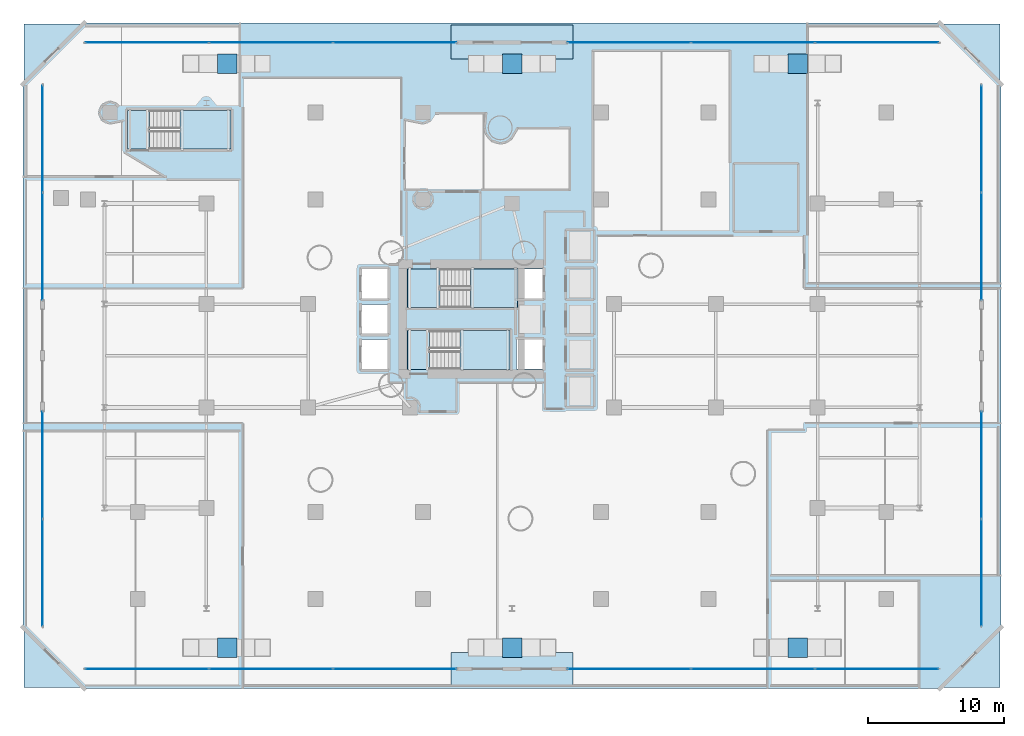
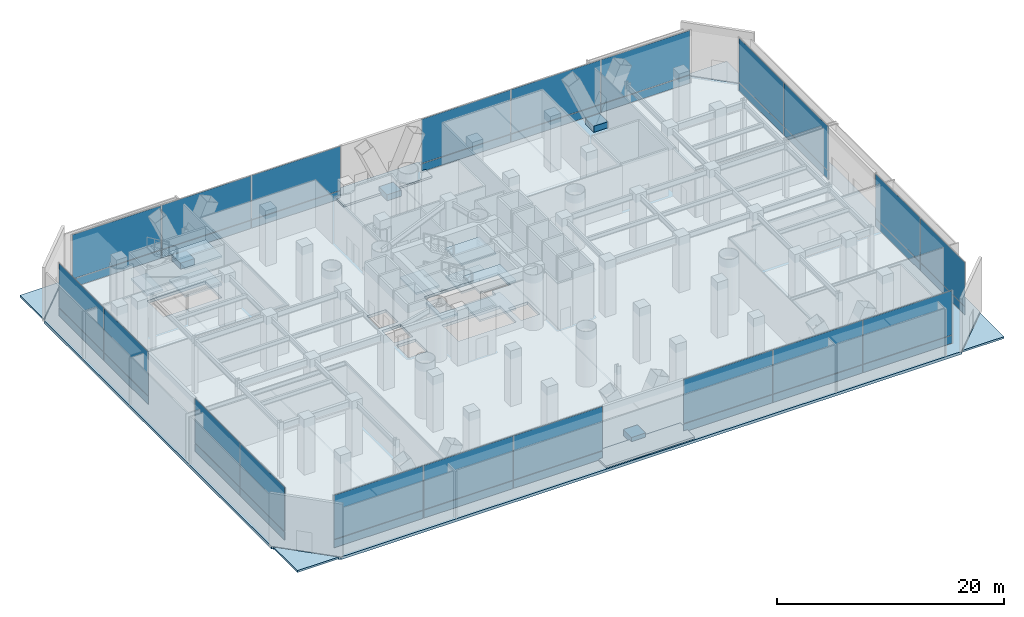
# One storey, part 27 of 40: 46 plates, 16 slabs, 11 elements without a shape of their own.
"""IFC4 building model written with IfcOpenShell, lengths in metres."""

from ifc_helpers import new_model, si_unit, direction, frame, origin, origin_2d, place, context, subcontext, project, spatial, polyline, rectangle, outline, extrude, material, layer, layer_set, type_object, element, aggregate, save


model = new_model("IFC4")

# Units and contexts
model_context = context("Model", 3, precision=1e-05, world=origin(), true_north=direction((0.0, 1.0)))
body_context = subcontext(model_context, "Body", "Model", "MODEL_VIEW")
ifc_project = project(units=[si_unit("LENGTHUNIT", "METRE"), si_unit("AREAUNIT", "SQUARE_METRE"), si_unit("VOLUMEUNIT", "CUBIC_METRE"), si_unit("PLANEANGLEUNIT", "RADIAN"), si_unit("MASSUNIT", "GRAM", prefix="KILO")], contexts=[model_context])

# Site, building, storey
site_placement = place(None, origin())
site = spatial("IfcSite", under=ifc_project, at=site_placement, CompositionType="ELEMENT")
building_placement = place(site_placement, origin())
building = spatial("IfcBuilding", under=site, at=building_placement, Name="Qianvela Tower", CompositionType="ELEMENT")
storey_placement = place(building_placement, origin())
storey = spatial("IfcBuildingStorey", under=building, at=storey_placement, Name="L00", CompositionType="ELEMENT", Elevation=0.0)

# Curtain wall, plates
ifc_material_1 = material(Name="Anodised Architectural Aluminium and Low-E Glass", Category="aluminium")
ifc_layer_1 = layer(ifc_material_1, 0.199951171875)
ifc_layer_set_1 = layer_set([ifc_layer_1], Name="Anodised Architectural Aluminium and Low-E Glass")
curtain_wall_type = type_object("IfcCurtainWallType", Name="CW-CONCOURSE", PredefinedType="USERDEFINED", material=ifc_layer_set_1)
curtain_wall_1_placement = place(storey_placement, origin())
curtain_wall_1 = element("IfcCurtainWall", 1, at=curtain_wall_1_placement, inside=storey, type_object=curtain_wall_type, Name="L00 CW-CONCOURSE Curtain Wall 01A", ObjectType="CURTAIN_WALL_SYSTEM", PredefinedType="USERDEFINED")
ifc_material_2 = material(Name="Double-Silver Low-E Insulated Glass", Category="glass")
ifc_layer_2 = layer(ifc_material_2, 0.035888671875)
ifc_layer_set_2 = layer_set([ifc_layer_2], Name="Double-Silver Low-E Insulated Glass")
plate_type_1 = type_object("IfcPlateType", Name="CW-CONCOURSE-PNL", PredefinedType="CURTAIN_PANEL", material=ifc_layer_set_2)
plate_1_placement = place(storey_placement, frame((10.63427734375, 2.949951171875, 0.06494140625), z_axis=(0.0, 0.0, 1.0), x_axis=(1.0, 0.0, 0.0)))
plate_1 = element("IfcPlate", 2, at=plate_1_placement, type_object=plate_type_1, Name="CW-1 panel 1.1", PredefinedType="CURTAIN_PANEL", context=body_context, shape_type="SweptSolid", body=[
    extrude(rectangle(XDim=9.0283203125, YDim=0.035888671875, at=origin_2d()), origin(), (0.0, 0.0, 1.0), 0.8525390625),
])
plate_2_placement = place(storey_placement, frame((10.63427734375, 2.949951171875, 0.982421875), z_axis=(0.0, 0.0, 1.0), x_axis=(1.0, 0.0, 0.0)))
plate_2 = element("IfcPlate", 3, at=plate_2_placement, type_object=plate_type_1, Name="CW-1 panel 1.2", PredefinedType="CURTAIN_PANEL", context=body_context, shape_type="SweptSolid", body=[
    extrude(rectangle(XDim=9.0283203125, YDim=0.035888671875, at=origin_2d()), origin(), (0.0, 0.0, 1.0), 4.732421875),
])
plate_3_placement = place(storey_placement, frame((19.75, 2.949951171875, 0.06494140625), z_axis=(0.0, 0.0, 1.0), x_axis=(1.0, 0.0, 0.0)))
plate_3 = element("IfcPlate", 4, at=plate_3_placement, type_object=plate_type_1, Name="CW-1 panel 2.1", PredefinedType="CURTAIN_PANEL", context=body_context, shape_type="SweptSolid", body=[
    extrude(rectangle(XDim=9.063232421875, YDim=0.035888671875, at=origin_2d()), origin(), (0.0, 0.0, 1.0), 0.8525390625),
])
plate_4_placement = place(storey_placement, frame((19.75, 2.949951171875, 0.982421875), z_axis=(0.0, 0.0, 1.0), x_axis=(1.0, 0.0, 0.0)))
plate_4 = element("IfcPlate", 5, at=plate_4_placement, type_object=plate_type_1, Name="CW-1 panel 2.2", PredefinedType="CURTAIN_PANEL", context=body_context, shape_type="SweptSolid", body=[
    extrude(rectangle(XDim=9.063232421875, YDim=0.035888671875, at=origin_2d()), origin(), (0.0, 0.0, 1.0), 4.732421875),
])
plate_5_placement = place(storey_placement, frame((28.86572265625, 2.949951171875, 0.06494140625), z_axis=(0.0, 0.0, 1.0), x_axis=(1.0, 0.0, 0.0)))
plate_5 = element("IfcPlate", 6, at=plate_5_placement, type_object=plate_type_1, Name="CW-1 panel 3.1", PredefinedType="CURTAIN_PANEL", context=body_context, shape_type="SweptSolid", body=[
    extrude(rectangle(XDim=9.0283203125, YDim=0.035888671875, at=origin_2d()), origin(), (0.0, 0.0, 1.0), 0.8525390625),
])
plate_6_placement = place(storey_placement, frame((28.86572265625, 2.949951171875, 0.982421875), z_axis=(0.0, 0.0, 1.0), x_axis=(1.0, 0.0, 0.0)))
plate_6 = element("IfcPlate", 7, at=plate_6_placement, type_object=plate_type_1, Name="CW-1 panel 3.2", PredefinedType="CURTAIN_PANEL", context=body_context, shape_type="SweptSolid", body=[
    extrude(rectangle(XDim=9.0283203125, YDim=0.035888671875, at=origin_2d()), origin(), (0.0, 0.0, 1.0), 4.732421875),
])
aggregate(curtain_wall_1, [plate_1, plate_2, plate_3, plate_4, plate_5, plate_6])

curtain_wall_2_placement = place(storey_placement, origin())
curtain_wall_2 = element("IfcCurtainWall", 8, at=curtain_wall_2_placement, inside=storey, type_object=curtain_wall_type, Name="L00 CW-CONCOURSE Curtain Wall 01B", ObjectType="CURTAIN_WALL_SYSTEM", PredefinedType="USERDEFINED")
plate_7_placement = place(storey_placement, frame((46.13427734375, 2.949951171875, 0.06494140625), z_axis=(0.0, 0.0, 1.0), x_axis=(1.0, 0.0, 0.0)))
plate_7 = element("IfcPlate", 9, at=plate_7_placement, type_object=plate_type_1, Name="CW-1 panel 1.1", PredefinedType="CURTAIN_PANEL", context=body_context, shape_type="SweptSolid", body=[
    extrude(rectangle(XDim=9.0283203125, YDim=0.035888671875, at=origin_2d()), origin(), (0.0, 0.0, 1.0), 0.8525390625),
])
plate_8_placement = place(storey_placement, frame((46.13427734375, 2.949951171875, 0.982421875), z_axis=(0.0, 0.0, 1.0), x_axis=(1.0, 0.0, 0.0)))
plate_8 = element("IfcPlate", 10, at=plate_8_placement, type_object=plate_type_1, Name="CW-1 panel 1.2", PredefinedType="CURTAIN_PANEL", context=body_context, shape_type="SweptSolid", body=[
    extrude(rectangle(XDim=9.0283203125, YDim=0.035888671875, at=origin_2d()), origin(), (0.0, 0.0, 1.0), 4.732421875),
])
plate_9_placement = place(storey_placement, frame((55.25, 2.949951171875, 0.06494140625), z_axis=(0.0, 0.0, 1.0), x_axis=(1.0, 0.0, 0.0)))
plate_9 = element("IfcPlate", 11, at=plate_9_placement, type_object=plate_type_1, Name="CW-1 panel 2.1", PredefinedType="CURTAIN_PANEL", context=body_context, shape_type="SweptSolid", body=[
    extrude(rectangle(XDim=9.063232421875, YDim=0.035888671875, at=origin_2d()), origin(), (0.0, 0.0, 1.0), 0.8525390625),
])
plate_10_placement = place(storey_placement, frame((55.25, 2.949951171875, 0.982421875), z_axis=(0.0, 0.0, 1.0), x_axis=(1.0, 0.0, 0.0)))
plate_10 = element("IfcPlate", 12, at=plate_10_placement, type_object=plate_type_1, Name="CW-1 panel 2.2", PredefinedType="CURTAIN_PANEL", context=body_context, shape_type="SweptSolid", body=[
    extrude(rectangle(XDim=9.063232421875, YDim=0.035888671875, at=origin_2d()), origin(), (0.0, 0.0, 1.0), 4.732421875),
])
plate_11_placement = place(storey_placement, frame((64.36572265625, 2.949951171875, 0.06494140625), z_axis=(0.0, 0.0, 1.0), x_axis=(1.0, 0.0, 0.0)))
plate_11 = element("IfcPlate", 13, at=plate_11_placement, type_object=plate_type_1, Name="CW-1 panel 3.1", PredefinedType="CURTAIN_PANEL", context=body_context, shape_type="SweptSolid", body=[
    extrude(rectangle(XDim=9.0283203125, YDim=0.035888671875, at=origin_2d()), origin(), (0.0, 0.0, 1.0), 0.8525390625),
])
plate_12_placement = place(storey_placement, frame((64.36572265625, 2.949951171875, 0.982421875), z_axis=(0.0, 0.0, 1.0), x_axis=(1.0, 0.0, 0.0)))
plate_12 = element("IfcPlate", 14, at=plate_12_placement, type_object=plate_type_1, Name="CW-1 panel 3.2", PredefinedType="CURTAIN_PANEL", context=body_context, shape_type="SweptSolid", body=[
    extrude(rectangle(XDim=9.0283203125, YDim=0.035888671875, at=origin_2d()), origin(), (0.0, 0.0, 1.0), 4.732421875),
])
aggregate(curtain_wall_2, [plate_7, plate_8, plate_9, plate_10, plate_11, plate_12])

curtain_wall_3_placement = place(storey_placement, origin())
curtain_wall_3 = element("IfcCurtainWall", 15, at=curtain_wall_3_placement, inside=storey, type_object=curtain_wall_type, Name="L00 CW-CONCOURSE Curtain Wall 03A", ObjectType="CURTAIN_WALL_SYSTEM", PredefinedType="USERDEFINED")
plate_13_placement = place(storey_placement, frame((72.050048828125, 10.04248046875, 0.06494140625), z_axis=(0.0, 0.0, 1.0), x_axis=(0.0, 1.0, 0.0)))
plate_13 = element("IfcPlate", 16, at=plate_13_placement, type_object=plate_type_1, Name="CW-1 panel 1.1", PredefinedType="CURTAIN_PANEL", context=body_context, shape_type="SweptSolid", body=[
    extrude(rectangle(XDim=7.844970703125, YDim=0.035888671875, at=origin_2d()), origin(), (0.0, 0.0, 1.0), 0.8525390625),
])
plate_14_placement = place(storey_placement, frame((72.050048828125, 10.04248046875, 0.982421875), z_axis=(0.0, 0.0, 1.0), x_axis=(0.0, 1.0, 0.0)))
plate_14 = element("IfcPlate", 17, at=plate_14_placement, type_object=plate_type_1, Name="CW-1 panel 1.2", PredefinedType="CURTAIN_PANEL", context=body_context, shape_type="SweptSolid", body=[
    extrude(rectangle(XDim=7.844970703125, YDim=0.035888671875, at=origin_2d()), origin(), (0.0, 0.0, 1.0), 4.732421875),
])
plate_15_placement = place(storey_placement, frame((72.050048828125, 17.95751953125, 0.06494140625), z_axis=(0.0, 0.0, 1.0), x_axis=(0.0, 1.0, 0.0)))
plate_15 = element("IfcPlate", 18, at=plate_15_placement, type_object=plate_type_1, Name="CW-1 panel 2.1", PredefinedType="CURTAIN_PANEL", context=body_context, shape_type="SweptSolid", body=[
    extrude(rectangle(XDim=7.844970703125, YDim=0.035888671875, at=origin_2d()), origin(), (0.0, 0.0, 1.0), 0.8525390625),
])
plate_16_placement = place(storey_placement, frame((72.050048828125, 17.95751953125, 0.982421875), z_axis=(0.0, 0.0, 1.0), x_axis=(0.0, 1.0, 0.0)))
plate_16 = element("IfcPlate", 19, at=plate_16_placement, type_object=plate_type_1, Name="CW-1 panel 2.2", PredefinedType="CURTAIN_PANEL", context=body_context, shape_type="SweptSolid", body=[
    extrude(rectangle(XDim=7.844970703125, YDim=0.035888671875, at=origin_2d()), origin(), (0.0, 0.0, 1.0), 4.732421875),
])
aggregate(curtain_wall_3, [plate_13, plate_14, plate_15, plate_16])

curtain_wall_4_placement = place(storey_placement, origin())
curtain_wall_4 = element("IfcCurtainWall", 20, at=curtain_wall_4_placement, inside=storey, type_object=curtain_wall_type, Name="L00 CW-CONCOURSE Curtain Wall 03B", ObjectType="CURTAIN_WALL_SYSTEM", PredefinedType="USERDEFINED")
plate_17_placement = place(storey_placement, frame((72.050048828125, 34.04248046875, 0.06494140625), z_axis=(0.0, 0.0, 1.0), x_axis=(0.0, 1.0, 0.0)))
plate_17 = element("IfcPlate", 21, at=plate_17_placement, type_object=plate_type_1, Name="CW-1 panel 1.1", PredefinedType="CURTAIN_PANEL", context=body_context, shape_type="SweptSolid", body=[
    extrude(rectangle(XDim=7.844970703125, YDim=0.035888671875, at=origin_2d()), origin(), (0.0, 0.0, 1.0), 0.8525390625),
])
plate_18_placement = place(storey_placement, frame((72.050048828125, 34.04248046875, 0.982421875), z_axis=(0.0, 0.0, 1.0), x_axis=(0.0, 1.0, 0.0)))
plate_18 = element("IfcPlate", 22, at=plate_18_placement, type_object=plate_type_1, Name="CW-1 panel 1.2", PredefinedType="CURTAIN_PANEL", context=body_context, shape_type="SweptSolid", body=[
    extrude(rectangle(XDim=7.844970703125, YDim=0.035888671875, at=origin_2d()), origin(), (0.0, 0.0, 1.0), 4.732421875),
])
plate_19_placement = place(storey_placement, frame((72.050048828125, 41.95751953125, 0.06494140625), z_axis=(0.0, 0.0, 1.0), x_axis=(0.0, 1.0, 0.0)))
plate_19 = element("IfcPlate", 23, at=plate_19_placement, type_object=plate_type_1, Name="CW-1 panel 2.1", PredefinedType="CURTAIN_PANEL", context=body_context, shape_type="SweptSolid", body=[
    extrude(rectangle(XDim=7.844970703125, YDim=0.035888671875, at=origin_2d()), origin(), (0.0, 0.0, 1.0), 0.8525390625),
])
plate_20_placement = place(storey_placement, frame((72.050048828125, 41.95751953125, 0.982421875), z_axis=(0.0, 0.0, 1.0), x_axis=(0.0, 1.0, 0.0)))
plate_20 = element("IfcPlate", 24, at=plate_20_placement, type_object=plate_type_1, Name="CW-1 panel 2.2", PredefinedType="CURTAIN_PANEL", context=body_context, shape_type="SweptSolid", body=[
    extrude(rectangle(XDim=7.844970703125, YDim=0.035888671875, at=origin_2d()), origin(), (0.0, 0.0, 1.0), 4.732421875),
])
aggregate(curtain_wall_4, [plate_17, plate_18, plate_19, plate_20])

curtain_wall_5_placement = place(storey_placement, origin())
curtain_wall_5 = element("IfcCurtainWall", 25, at=curtain_wall_5_placement, inside=storey, type_object=curtain_wall_type, Name="L00 CW-CONCOURSE Curtain Wall 05A", ObjectType="CURTAIN_WALL_SYSTEM", PredefinedType="USERDEFINED")
plate_21_placement = place(storey_placement, frame((64.36572265625, 49.050048828125, 0.06494140625), z_axis=(0.0, 0.0, 1.0), x_axis=(-1.0, 0.0, 0.0)))
plate_21 = element("IfcPlate", 26, at=plate_21_placement, type_object=plate_type_1, Name="CW-1 panel 1.1", PredefinedType="CURTAIN_PANEL", context=body_context, shape_type="SweptSolid", body=[
    extrude(rectangle(XDim=9.0283203125, YDim=0.035888671875, at=origin_2d()), origin(), (0.0, 0.0, 1.0), 0.8525390625),
])
plate_22_placement = place(storey_placement, frame((64.36572265625, 49.050048828125, 0.982421875), z_axis=(0.0, 0.0, 1.0), x_axis=(-1.0, 0.0, 0.0)))
plate_22 = element("IfcPlate", 27, at=plate_22_placement, type_object=plate_type_1, Name="CW-1 panel 1.2", PredefinedType="CURTAIN_PANEL", context=body_context, shape_type="SweptSolid", body=[
    extrude(rectangle(XDim=9.0283203125, YDim=0.035888671875, at=origin_2d()), origin(), (0.0, 0.0, 1.0), 4.732421875),
])
plate_23_placement = place(storey_placement, frame((55.25, 49.050048828125, 0.06494140625), z_axis=(0.0, 0.0, 1.0), x_axis=(-1.0, 0.0, 0.0)))
plate_23 = element("IfcPlate", 28, at=plate_23_placement, type_object=plate_type_1, Name="CW-1 panel 2.1", PredefinedType="CURTAIN_PANEL", context=body_context, shape_type="SweptSolid", body=[
    extrude(rectangle(XDim=9.063232421875, YDim=0.035888671875, at=origin_2d()), origin(), (0.0, 0.0, 1.0), 0.8525390625),
])
plate_24_placement = place(storey_placement, frame((55.25, 49.050048828125, 0.982421875), z_axis=(0.0, 0.0, 1.0), x_axis=(-1.0, 0.0, 0.0)))
plate_24 = element("IfcPlate", 29, at=plate_24_placement, type_object=plate_type_1, Name="CW-1 panel 2.2", PredefinedType="CURTAIN_PANEL", context=body_context, shape_type="SweptSolid", body=[
    extrude(rectangle(XDim=9.063232421875, YDim=0.035888671875, at=origin_2d()), origin(), (0.0, 0.0, 1.0), 4.732421875),
])
plate_25_placement = place(storey_placement, frame((46.13427734375, 49.050048828125, 0.06494140625), z_axis=(0.0, 0.0, 1.0), x_axis=(-1.0, 0.0, 0.0)))
plate_25 = element("IfcPlate", 30, at=plate_25_placement, type_object=plate_type_1, Name="CW-1 panel 3.1", PredefinedType="CURTAIN_PANEL", context=body_context, shape_type="SweptSolid", body=[
    extrude(rectangle(XDim=9.0283203125, YDim=0.035888671875, at=origin_2d()), origin(), (0.0, 0.0, 1.0), 0.8525390625),
])
plate_26_placement = place(storey_placement, frame((46.13427734375, 49.050048828125, 0.982421875), z_axis=(0.0, 0.0, 1.0), x_axis=(-1.0, 0.0, 0.0)))
plate_26 = element("IfcPlate", 31, at=plate_26_placement, type_object=plate_type_1, Name="CW-1 panel 3.2", PredefinedType="CURTAIN_PANEL", context=body_context, shape_type="SweptSolid", body=[
    extrude(rectangle(XDim=9.0283203125, YDim=0.035888671875, at=origin_2d()), origin(), (0.0, 0.0, 1.0), 4.732421875),
])
aggregate(curtain_wall_5, [plate_21, plate_22, plate_23, plate_24, plate_25, plate_26])

curtain_wall_6_placement = place(storey_placement, origin())
curtain_wall_6 = element("IfcCurtainWall", 32, at=curtain_wall_6_placement, inside=storey, type_object=curtain_wall_type, Name="L00 CW-CONCOURSE Curtain Wall 05B", ObjectType="CURTAIN_WALL_SYSTEM", PredefinedType="USERDEFINED")
plate_27_placement = place(storey_placement, frame((28.86572265625, 49.050048828125, 0.06494140625), z_axis=(0.0, 0.0, 1.0), x_axis=(-1.0, 0.0, 0.0)))
plate_27 = element("IfcPlate", 33, at=plate_27_placement, type_object=plate_type_1, Name="CW-1 panel 1.1", PredefinedType="CURTAIN_PANEL", context=body_context, shape_type="SweptSolid", body=[
    extrude(rectangle(XDim=9.0283203125, YDim=0.035888671875, at=origin_2d()), origin(), (0.0, 0.0, 1.0), 0.8525390625),
])
plate_28_placement = place(storey_placement, frame((28.86572265625, 49.050048828125, 0.982421875), z_axis=(0.0, 0.0, 1.0), x_axis=(-1.0, 0.0, 0.0)))
plate_28 = element("IfcPlate", 34, at=plate_28_placement, type_object=plate_type_1, Name="CW-1 panel 1.2", PredefinedType="CURTAIN_PANEL", context=body_context, shape_type="SweptSolid", body=[
    extrude(rectangle(XDim=9.0283203125, YDim=0.035888671875, at=origin_2d()), origin(), (0.0, 0.0, 1.0), 4.732421875),
])
plate_29_placement = place(storey_placement, frame((19.75, 49.050048828125, 0.06494140625), z_axis=(0.0, 0.0, 1.0), x_axis=(-1.0, 0.0, 0.0)))
plate_29 = element("IfcPlate", 35, at=plate_29_placement, type_object=plate_type_1, Name="CW-1 panel 2.1", PredefinedType="CURTAIN_PANEL", context=body_context, shape_type="SweptSolid", body=[
    extrude(rectangle(XDim=9.063232421875, YDim=0.035888671875, at=origin_2d()), origin(), (0.0, 0.0, 1.0), 0.8525390625),
])
plate_30_placement = place(storey_placement, frame((19.75, 49.050048828125, 0.982421875), z_axis=(0.0, 0.0, 1.0), x_axis=(-1.0, 0.0, 0.0)))
plate_30 = element("IfcPlate", 36, at=plate_30_placement, type_object=plate_type_1, Name="CW-1 panel 2.2", PredefinedType="CURTAIN_PANEL", context=body_context, shape_type="SweptSolid", body=[
    extrude(rectangle(XDim=9.063232421875, YDim=0.035888671875, at=origin_2d()), origin(), (0.0, 0.0, 1.0), 4.732421875),
])
plate_31_placement = place(storey_placement, frame((10.63427734375, 49.050048828125, 0.06494140625), z_axis=(0.0, 0.0, 1.0), x_axis=(-1.0, 0.0, 0.0)))
plate_31 = element("IfcPlate", 37, at=plate_31_placement, type_object=plate_type_1, Name="CW-1 panel 3.1", PredefinedType="CURTAIN_PANEL", context=body_context, shape_type="SweptSolid", body=[
    extrude(rectangle(XDim=9.0283203125, YDim=0.035888671875, at=origin_2d()), origin(), (0.0, 0.0, 1.0), 0.8525390625),
])
plate_32_placement = place(storey_placement, frame((10.63427734375, 49.050048828125, 0.982421875), z_axis=(0.0, 0.0, 1.0), x_axis=(-1.0, 0.0, 0.0)))
plate_32 = element("IfcPlate", 38, at=plate_32_placement, type_object=plate_type_1, Name="CW-1 panel 3.2", PredefinedType="CURTAIN_PANEL", context=body_context, shape_type="SweptSolid", body=[
    extrude(rectangle(XDim=9.0283203125, YDim=0.035888671875, at=origin_2d()), origin(), (0.0, 0.0, 1.0), 4.732421875),
])
aggregate(curtain_wall_6, [plate_27, plate_28, plate_29, plate_30, plate_31, plate_32])

curtain_wall_7_placement = place(storey_placement, origin())
curtain_wall_7 = element("IfcCurtainWall", 39, at=curtain_wall_7_placement, inside=storey, type_object=curtain_wall_type, Name="L00 CW-CONCOURSE Curtain Wall 07A", ObjectType="CURTAIN_WALL_SYSTEM", PredefinedType="USERDEFINED")
plate_33_placement = place(storey_placement, frame((2.949951171875, 41.95751953125, 0.06494140625), z_axis=(0.0, 0.0, 1.0), x_axis=(0.0, -1.0, 0.0)))
plate_33 = element("IfcPlate", 40, at=plate_33_placement, type_object=plate_type_1, Name="CW-1 panel 1.1", PredefinedType="CURTAIN_PANEL", context=body_context, shape_type="SweptSolid", body=[
    extrude(rectangle(XDim=7.844970703125, YDim=0.035888671875, at=origin_2d()), origin(), (0.0, 0.0, 1.0), 0.8525390625),
])
plate_34_placement = place(storey_placement, frame((2.949951171875, 41.95751953125, 0.982421875), z_axis=(0.0, 0.0, 1.0), x_axis=(0.0, -1.0, 0.0)))
plate_34 = element("IfcPlate", 41, at=plate_34_placement, type_object=plate_type_1, Name="CW-1 panel 1.2", PredefinedType="CURTAIN_PANEL", context=body_context, shape_type="SweptSolid", body=[
    extrude(rectangle(XDim=7.844970703125, YDim=0.035888671875, at=origin_2d()), origin(), (0.0, 0.0, 1.0), 4.732421875),
])
plate_35_placement = place(storey_placement, frame((2.949951171875, 34.04248046875, 0.06494140625), z_axis=(0.0, 0.0, 1.0), x_axis=(0.0, -1.0, 0.0)))
plate_35 = element("IfcPlate", 42, at=plate_35_placement, type_object=plate_type_1, Name="CW-1 panel 2.1", PredefinedType="CURTAIN_PANEL", context=body_context, shape_type="SweptSolid", body=[
    extrude(rectangle(XDim=7.844970703125, YDim=0.035888671875, at=origin_2d()), origin(), (0.0, 0.0, 1.0), 0.8525390625),
])
plate_36_placement = place(storey_placement, frame((2.949951171875, 34.04248046875, 0.982421875), z_axis=(0.0, 0.0, 1.0), x_axis=(0.0, -1.0, 0.0)))
plate_36 = element("IfcPlate", 43, at=plate_36_placement, type_object=plate_type_1, Name="CW-1 panel 2.2", PredefinedType="CURTAIN_PANEL", context=body_context, shape_type="SweptSolid", body=[
    extrude(rectangle(XDim=7.844970703125, YDim=0.035888671875, at=origin_2d()), origin(), (0.0, 0.0, 1.0), 4.732421875),
])
aggregate(curtain_wall_7, [plate_33, plate_34, plate_35, plate_36])

curtain_wall_8_placement = place(storey_placement, origin())
curtain_wall_8 = element("IfcCurtainWall", 44, at=curtain_wall_8_placement, inside=storey, type_object=curtain_wall_type, Name="L00 CW-CONCOURSE Curtain Wall 07B", ObjectType="CURTAIN_WALL_SYSTEM", PredefinedType="USERDEFINED")
plate_37_placement = place(storey_placement, frame((2.949951171875, 17.95751953125, 0.06494140625), z_axis=(0.0, 0.0, 1.0), x_axis=(0.0, -1.0, 0.0)))
plate_37 = element("IfcPlate", 45, at=plate_37_placement, type_object=plate_type_1, Name="CW-1 panel 1.1", PredefinedType="CURTAIN_PANEL", context=body_context, shape_type="SweptSolid", body=[
    extrude(rectangle(XDim=7.844970703125, YDim=0.035888671875, at=origin_2d()), origin(), (0.0, 0.0, 1.0), 0.8525390625),
])
plate_38_placement = place(storey_placement, frame((2.949951171875, 17.95751953125, 0.982421875), z_axis=(0.0, 0.0, 1.0), x_axis=(0.0, -1.0, 0.0)))
plate_38 = element("IfcPlate", 46, at=plate_38_placement, type_object=plate_type_1, Name="CW-1 panel 1.2", PredefinedType="CURTAIN_PANEL", context=body_context, shape_type="SweptSolid", body=[
    extrude(rectangle(XDim=7.844970703125, YDim=0.035888671875, at=origin_2d()), origin(), (0.0, 0.0, 1.0), 4.732421875),
])
plate_39_placement = place(storey_placement, frame((2.949951171875, 10.04248046875, 0.06494140625), z_axis=(0.0, 0.0, 1.0), x_axis=(0.0, -1.0, 0.0)))
plate_39 = element("IfcPlate", 47, at=plate_39_placement, type_object=plate_type_1, Name="CW-1 panel 2.1", PredefinedType="CURTAIN_PANEL", context=body_context, shape_type="SweptSolid", body=[
    extrude(rectangle(XDim=7.844970703125, YDim=0.035888671875, at=origin_2d()), origin(), (0.0, 0.0, 1.0), 0.8525390625),
])
plate_40_placement = place(storey_placement, frame((2.949951171875, 10.04248046875, 0.982421875), z_axis=(0.0, 0.0, 1.0), x_axis=(0.0, -1.0, 0.0)))
plate_40 = element("IfcPlate", 48, at=plate_40_placement, type_object=plate_type_1, Name="CW-1 panel 2.2", PredefinedType="CURTAIN_PANEL", context=body_context, shape_type="SweptSolid", body=[
    extrude(rectangle(XDim=7.844970703125, YDim=0.035888671875, at=origin_2d()), origin(), (0.0, 0.0, 1.0), 4.732421875),
])
aggregate(curtain_wall_8, [plate_37, plate_38, plate_39, plate_40])

# Plates
ifc_material_3 = material(Name="Steel Q420GJC", Category="steel")
ifc_layer_3 = layer(ifc_material_3, 0.139892578125)
ifc_layer_set_3 = layer_set([ifc_layer_3], Name="Steel Q420GJC")
plate_type_2 = type_object("IfcPlateType", Name="PT-GUSSET-NODE-140", PredefinedType="USERDEFINED", material=ifc_layer_set_3)
for number, where, z_axis, x_axis, name in (
    (49, (16.526123046875, 4.5, -0.76953125), (0.0, 0.0, 1.0), (1.0, 0.0, 0.0), "L00 Node Gusset Plate A"),
    (50, (37.526123046875, 4.5, -0.76953125), (0.0, 0.0, 1.0), (1.0, 0.0, 0.0), "L00 Node Gusset Plate A"),
    (51, (58.526123046875, 4.5, -0.76953125), (0.0, 0.0, 1.0), (1.0, 0.0, 0.0), "L00 Node Gusset Plate A"),
    (52, (16.526123046875, 47.5, -0.76953125), (0.0, 0.0, 1.0), (1.0, 0.0, 0.0), "L00 Node Gusset Plate A"),
    (53, (37.526123046875, 47.5, -0.76953125), (0.0, 0.0, 1.0), (1.0, 0.0, 0.0), "L00 Node Gusset Plate A"),
    (54, (58.526123046875, 47.5, -0.76953125), (0.0, 0.0, 1.0), (1.0, 0.0, 0.0), "L00 Node Gusset Plate A"),
):
    element("IfcPlate", number, at=place(storey_placement, frame(where, z_axis=z_axis, x_axis=x_axis)), inside=storey, type_object=plate_type_2, Name=name, ObjectType="GUSSET_PLATE", PredefinedType="USERDEFINED", context=body_context, shape_type="SweptSolid", body=[
        extrude(rectangle(XDim=1.43994140625, YDim=1.43994140625, at=origin_2d()), origin(), (0.0, 0.0, 1.0), 1.419921875),
    ])

# Slabs
ifc_material_4 = material(Name="Honed Granite Stone Paving on Concrete C30 Bedding", Category="masonry")
ifc_layer_4 = layer(ifc_material_4, 0.199951171875)
ifc_layer_set_4 = layer_set([ifc_layer_4], Name="Honed Granite Stone Paving on Concrete C30 Bedding")
slab_type_1 = type_object("IfcSlabType", Name="SL-PAVING-200", PredefinedType="USERDEFINED", material=ifc_layer_set_4)
slab_1_placement = place(storey_placement, frame((0.0, 0.0, -0.199951171875)))
element("IfcSlab", 55, at=slab_1_placement, inside=storey, type_object=slab_type_1, Name="L00 Forecourt Granite Paving PV-SW", ObjectType="PAVING", PredefinedType="USERDEFINED", context=body_context, shape_type="SweptSolid", body=[
    extrude(outline(polyline([(1.60009765625, 1.60009765625), (5.800048828125, 1.60009765625), (1.60009765625, 5.800048828125), (1.60009765625, 1.60009765625)])), origin(), (0.0, 0.0, 1.0), 0.199951171875),
])
slab_2_placement = place(storey_placement, frame((0.0, 0.0, -0.199951171875)))
element("IfcSlab", 56, at=slab_2_placement, inside=storey, type_object=slab_type_1, Name="L00 Forecourt Granite Paving PV-SE", ObjectType="PAVING", PredefinedType="USERDEFINED", context=body_context, shape_type="SweptSolid", body=[
    extrude(outline(polyline([(69.199951171875, 1.60009765625), (73.39990234375, 1.60009765625), (73.39990234375, 5.800048828125), (69.199951171875, 1.60009765625)])), origin(), (0.0, 0.0, 1.0), 0.199951171875),
])
slab_3_placement = place(storey_placement, frame((0.0, 0.0, -0.199951171875)))
element("IfcSlab", 57, at=slab_3_placement, inside=storey, type_object=slab_type_1, Name="L00 Forecourt Granite Paving PV-NE", ObjectType="PAVING", PredefinedType="USERDEFINED", context=body_context, shape_type="SweptSolid", body=[
    extrude(outline(polyline([(69.199951171875, 50.39990234375), (73.39990234375, 46.199951171875), (73.39990234375, 50.39990234375), (69.199951171875, 50.39990234375)])), origin(), (0.0, 0.0, 1.0), 0.199951171875),
])
slab_4_placement = place(storey_placement, frame((0.0, 0.0, -0.199951171875)))
element("IfcSlab", 58, at=slab_4_placement, inside=storey, type_object=slab_type_1, Name="L00 Forecourt Granite Paving PV-NW", ObjectType="PAVING", PredefinedType="USERDEFINED", context=body_context, shape_type="SweptSolid", body=[
    extrude(outline(polyline([(1.60009765625, 46.199951171875), (5.800048828125, 50.39990234375), (1.60009765625, 50.39990234375), (1.60009765625, 46.199951171875)])), origin(), (0.0, 0.0, 1.0), 0.199951171875),
])
slab_5_placement = place(storey_placement, origin())
element("IfcSlab", 59, at=slab_5_placement, inside=storey, type_object=slab_type_1, Name="L00 Forecourt Granite Paving PV-SM", ObjectType="PAVING", PredefinedType="USERDEFINED", context=body_context, shape_type="SweptSolid", body=[
    extrude(outline(polyline([(33.0, 1.64990234375), (42.0, 1.64990234375), (42.0, 4.14990234375), (33.0, 4.14990234375), (33.0, 1.64990234375)])), origin(), (0.0, 0.0, 1.0), 0.199951171875),
])
slab_6_placement = place(storey_placement, origin())
element("IfcSlab", 60, at=slab_6_placement, inside=storey, type_object=slab_type_1, Name="L00 Forecourt Granite Paving PV-NM", ObjectType="PAVING", PredefinedType="USERDEFINED", context=body_context, shape_type="SweptSolid", body=[
    extrude(outline(polyline([(33.0, 47.85009765625), (42.0, 47.85009765625), (42.0, 50.35009765625), (33.0, 50.35009765625), (33.0, 47.85009765625)])), origin(), (0.0, 0.0, 1.0), 0.199951171875),
])

# Stair, slabs
ifc_material_5 = material(Name="Concrete C40", Category="concrete")
stair_type = type_object("IfcStairType", Name="ST-DOGLEG-1350-R167-N36", PredefinedType="HALF_TURN_STAIR", material=ifc_material_5)
stair_1_placement = place(storey_placement, origin())
stair_1 = element("IfcStair", 61, at=stair_1_placement, inside=storey, type_object=stair_type, Name="L00 Smoke-Proof Core Stair ST-1", PredefinedType="HALF_TURN_STAIR")
ifc_material_6 = material(Name="Concrete C40", Category="concrete")
ifc_layer_5 = layer(ifc_material_6, 0.199951171875)
ifc_layer_set_5 = layer_set([ifc_layer_5], Name="Concrete C40")
slab_type_2 = type_object("IfcSlabType", Name="SL-STAIR-LANDING-200", PredefinedType="LANDING", material=ifc_layer_set_5)
slab_7_placement = place(storey_placement, frame((0.0, 0.0, 1.300048828125)))
slab_7 = element("IfcSlab", 62, at=slab_7_placement, type_object=slab_type_2, Name="ST-1 landing 1", PredefinedType="LANDING", context=body_context, shape_type="SweptSolid", body=[
    extrude(outline(polyline([(34.43994140625, 29.5400390625), (37.89990234375, 29.5400390625), (37.89990234375, 32.39990234375), (34.43994140625, 32.39990234375), (34.43994140625, 29.5400390625)])), origin(), (0.0, 0.0, 1.0), 0.199951171875),
])
slab_8_placement = place(storey_placement, frame((0.0, 0.0, 2.800048828125)))
slab_8 = element("IfcSlab", 63, at=slab_8_placement, type_object=slab_type_2, Name="ST-1 landing 2", PredefinedType="LANDING", context=body_context, shape_type="SweptSolid", body=[
    extrude(outline(polyline([(29.800048828125, 29.5400390625), (32.199951171875, 29.5400390625), (32.199951171875, 32.39990234375), (29.800048828125, 32.39990234375), (29.800048828125, 29.5400390625)])), origin(), (0.0, 0.0, 1.0), 0.199951171875),
])
slab_9_placement = place(storey_placement, frame((0.0, 0.0, 4.300048828125)))
slab_9 = element("IfcSlab", 64, at=slab_9_placement, type_object=slab_type_2, Name="ST-1 landing 3", PredefinedType="LANDING", context=body_context, shape_type="SweptSolid", body=[
    extrude(outline(polyline([(34.43994140625, 29.5400390625), (37.89990234375, 29.5400390625), (37.89990234375, 32.39990234375), (34.43994140625, 32.39990234375), (34.43994140625, 29.5400390625)])), origin(), (0.0, 0.0, 1.0), 0.199951171875),
])
aggregate(stair_1, [slab_7, slab_8, slab_9])

stair_2_placement = place(storey_placement, origin())
stair_2 = element("IfcStair", 65, at=stair_2_placement, inside=storey, type_object=stair_type, Name="L00 Smoke-Proof Core Stair ST-2", PredefinedType="HALF_TURN_STAIR")
slab_10_placement = place(storey_placement, frame((0.0, 0.0, 1.300048828125)))
slab_10 = element("IfcSlab", 66, at=slab_10_placement, type_object=slab_type_2, Name="ST-2 landing 1", PredefinedType="LANDING", context=body_context, shape_type="SweptSolid", body=[
    extrude(outline(polyline([(33.659912109375, 25.0), (37.35009765625, 25.0), (37.35009765625, 27.860107421875), (33.659912109375, 27.860107421875), (33.659912109375, 25.0)])), origin(), (0.0, 0.0, 1.0), 0.199951171875),
])
slab_11_placement = place(storey_placement, frame((0.0, 0.0, 2.800048828125)))
slab_11 = element("IfcSlab", 67, at=slab_11_placement, type_object=slab_type_2, Name="ST-2 landing 2", PredefinedType="LANDING", context=body_context, shape_type="SweptSolid", body=[
    extrude(outline(polyline([(29.800048828125, 25.0), (31.419921875, 25.0), (31.419921875, 27.860107421875), (29.800048828125, 27.860107421875), (29.800048828125, 25.0)])), origin(), (0.0, 0.0, 1.0), 0.199951171875),
])
slab_12_placement = place(storey_placement, frame((0.0, 0.0, 4.300048828125)))
slab_12 = element("IfcSlab", 68, at=slab_12_placement, type_object=slab_type_2, Name="ST-2 landing 3", PredefinedType="LANDING", context=body_context, shape_type="SweptSolid", body=[
    extrude(outline(polyline([(33.659912109375, 25.0), (37.35009765625, 25.0), (37.35009765625, 27.860107421875), (33.659912109375, 27.860107421875), (33.659912109375, 25.0)])), origin(), (0.0, 0.0, 1.0), 0.199951171875),
])
aggregate(stair_2, [slab_10, slab_11, slab_12])

stair_3_placement = place(storey_placement, origin())
stair_3 = element("IfcStair", 69, at=stair_3_placement, inside=storey, type_object=stair_type, Name="L00 Smoke-Proof Core Stair ST-3", PredefinedType="HALF_TURN_STAIR")
slab_13_placement = place(storey_placement, frame((0.0, 0.0, 1.300048828125)))
slab_13 = element("IfcSlab", 70, at=slab_13_placement, type_object=slab_type_2, Name="ST-3 landing 1", PredefinedType="LANDING", context=body_context, shape_type="SweptSolid", body=[
    extrude(outline(polyline([(13.06005859375, 41.199951171875), (16.800048828125, 41.199951171875), (16.800048828125, 44.06005859375), (13.06005859375, 44.06005859375), (13.06005859375, 41.199951171875)])), origin(), (0.0, 0.0, 1.0), 0.199951171875),
])
slab_14_placement = place(storey_placement, frame((0.0, 0.0, 2.800048828125)))
slab_14 = element("IfcSlab", 71, at=slab_14_placement, type_object=slab_type_2, Name="ST-3 landing 2", PredefinedType="LANDING", context=body_context, shape_type="SweptSolid", body=[
    extrude(outline(polyline([(9.199951171875, 41.199951171875), (10.820068359375, 41.199951171875), (10.820068359375, 44.06005859375), (9.199951171875, 44.06005859375), (9.199951171875, 41.199951171875)])), origin(), (0.0, 0.0, 1.0), 0.199951171875),
])
slab_15_placement = place(storey_placement, frame((0.0, 0.0, 4.300048828125)))
slab_15 = element("IfcSlab", 72, at=slab_15_placement, type_object=slab_type_2, Name="ST-3 landing 3", PredefinedType="LANDING", context=body_context, shape_type="SweptSolid", body=[
    extrude(outline(polyline([(13.06005859375, 41.199951171875), (16.800048828125, 41.199951171875), (16.800048828125, 44.06005859375), (13.06005859375, 44.06005859375), (13.06005859375, 41.199951171875)])), origin(), (0.0, 0.0, 1.0), 0.199951171875),
])
aggregate(stair_3, [slab_13, slab_14, slab_15])

# Slab
ifc_material_7 = material(Name="Concrete C40", Category="concrete")
ifc_layer_6 = layer(ifc_material_7, 0.300048828125)
ifc_layer_set_6 = layer_set([ifc_layer_6], Name="Concrete C40")
slab_type_3 = type_object("IfcSlabType", Name="SL-TRANS-300", PredefinedType="FLOOR", material=ifc_layer_set_6)
slab_16_placement = place(storey_placement, frame((0.0, 0.0, -0.300048828125)))
element("IfcSlab", 73, at=slab_16_placement, inside=storey, type_object=slab_type_3, Name="L00 Composite Structural Floor Slab", PredefinedType="FLOOR", context=body_context, shape_type="SweptSolid", body=[
    extrude(outline(polyline([(6.0, 1.5), (69.0, 1.5), (73.5, 6.0), (73.5, 46.0), (69.0, 50.5), (6.0, 50.5), (1.5, 46.0), (1.5, 6.0), (6.0, 1.5)]), holes=[polyline([(28.360107421875, 27.179931640625), (26.43994140625, 27.179931640625), (26.43994140625, 25.02001953125), (28.360107421875, 25.02001953125), (28.360107421875, 27.179931640625)]), polyline([(39.760009765625, 27.179931640625), (37.840087890625, 27.179931640625), (37.840087890625, 25.02001953125), (39.760009765625, 25.02001953125), (39.760009765625, 27.179931640625)]), polyline([(37.35009765625, 27.860107421875), (31.469970703125, 27.860107421875), (31.469970703125, 25.0), (37.35009765625, 25.0), (37.35009765625, 27.860107421875)]), polyline([(28.360107421875, 29.780029296875), (26.43994140625, 29.780029296875), (26.43994140625, 27.6201171875), (28.360107421875, 27.6201171875), (28.360107421875, 29.780029296875)]), polyline([(37.89990234375, 32.39990234375), (32.25, 32.39990234375), (32.25, 29.5400390625), (37.89990234375, 29.5400390625), (37.89990234375, 30.219970703125), (39.760009765625, 30.219970703125), (39.760009765625, 32.3798828125), (37.89990234375, 32.3798828125), (37.89990234375, 32.39990234375)]), polyline([(28.360107421875, 32.3798828125), (26.43994140625, 32.3798828125), (26.43994140625, 30.219970703125), (28.360107421875, 30.219970703125), (28.360107421875, 32.3798828125)]), polyline([(16.800048828125, 44.06005859375), (10.8701171875, 44.06005859375), (10.8701171875, 41.199951171875), (16.800048828125, 41.199951171875), (16.800048828125, 44.06005859375)])]), origin(), (0.0, 0.0, 1.0), 0.300048828125),
])

save(model, "model.ifc")
